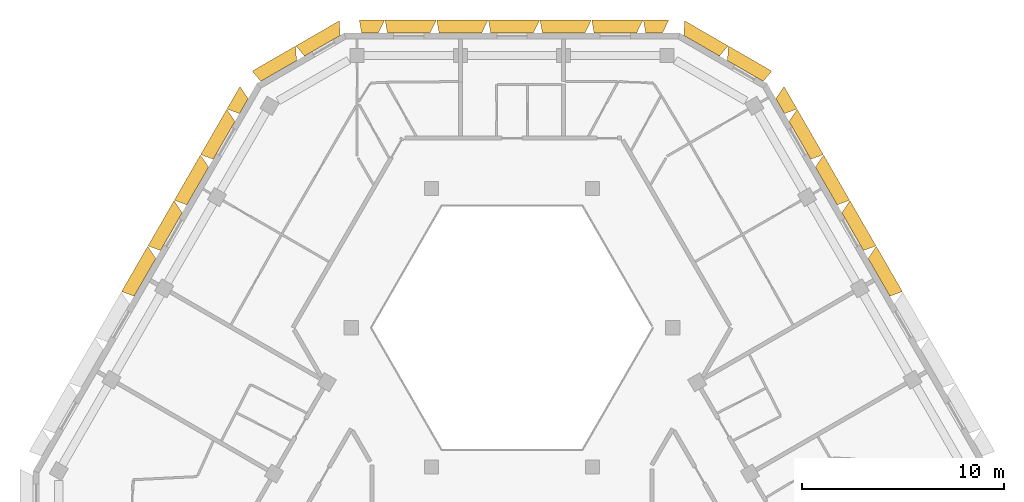
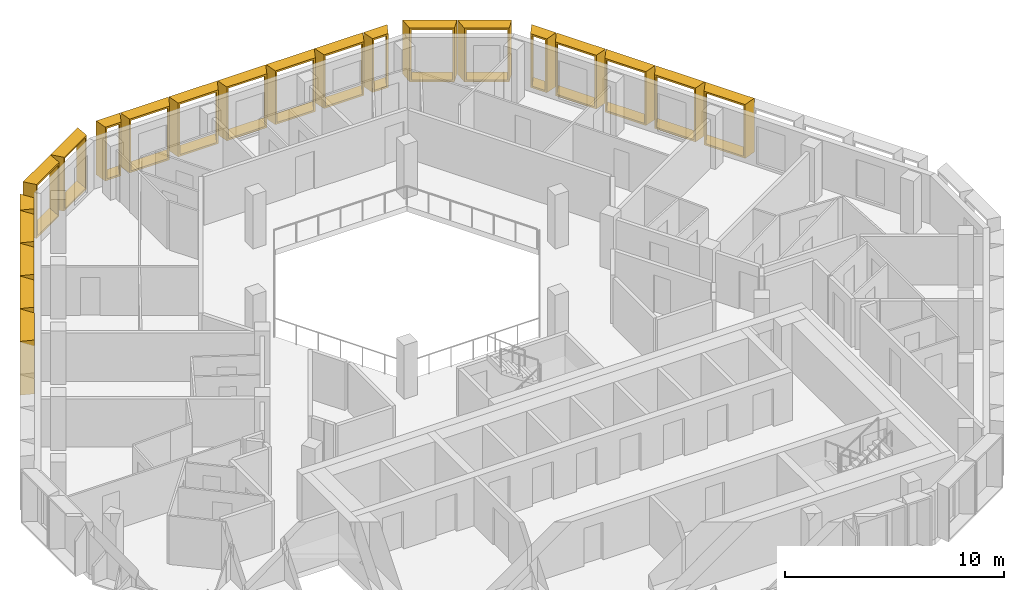
# One storey, part 15 of 15: 21 shading devices.
"""IFC4 building model written with IfcOpenShell, lengths in metres."""

from ifc_helpers import new_model, entity, si_unit, direction, frame, origin, place, context, subcontext, project, spatial, source, transform, mapped, material, type_object, type_shapes, element, save


model = new_model("IFC4")

# Units and contexts
model_context = context("Model", 3, precision=1e-05, world=origin(), true_north=direction((0.0, 1.0)))
body_context = subcontext(model_context, "Body", "Model", "MODEL_VIEW")
ifc_project = project(units=[si_unit("LENGTHUNIT", "METRE"), si_unit("AREAUNIT", "SQUARE_METRE"), si_unit("VOLUMEUNIT", "CUBIC_METRE"), si_unit("PLANEANGLEUNIT", "RADIAN"), si_unit("MASSUNIT", "GRAM", prefix="KILO")], contexts=[model_context])

# Site, building, storey
site_placement = place(None, origin())
site = spatial("IfcSite", under=ifc_project, at=site_placement, CompositionType="ELEMENT")
building_placement = place(site_placement, origin())
building = spatial("IfcBuilding", under=site, at=building_placement, Name="Beryl Residences", CompositionType="ELEMENT")
storey_placement = place(building_placement, frame((0.0, 0.0, 211.800048828125)))
storey = spatial("IfcBuildingStorey", under=building, at=storey_placement, Name="L65", CompositionType="ELEMENT", Elevation=211.800048828125)

# Shading devices
ifc_material_1 = material(Name="Aluminium pale anodised", Category="aluminium")
shading_device_type_1 = type_object("IfcShadingDeviceType", Name="FR128-65B OUTER SKIN frame 650 mm deep, splay 26/10 deg, 1280 x 3000 mm cell", PredefinedType="USERDEFINED", material=ifc_material_1)
cartesian_point_1 = entity("IfcCartesianPoint", [-0.4140625, 0.0])
cartesian_point_2 = entity("IfcCartesianPoint", [-0.324951171875, 0.10009765625])
cartesian_point_3 = entity("IfcCartesianPoint", [-0.73095703125, 0.0])
cartesian_point_4 = entity("IfcCartesianPoint", [-0.64208984375, 0.10009765625])
shared_shape_1 = source(origin(), body_context, "Body", "SweptSolid", [
    entity("IfcExtrudedAreaSolidTapered", entity("IfcArbitraryProfileDefWithVoids", "AREA", None, entity("IfcPolyline", [cartesian_point_1, entity("IfcCartesianPoint", [0.4140625, 0.0]), entity("IfcCartesianPoint", [0.4140625, 3.0]), entity("IfcCartesianPoint", [-0.4140625, 3.0]), cartesian_point_1]), [entity("IfcPolyline", [cartesian_point_2, entity("IfcCartesianPoint", [0.332763671875, 0.10009765625]), entity("IfcCartesianPoint", [0.332763671875, 2.89990234375]), entity("IfcCartesianPoint", [-0.324951171875, 2.89990234375]), cartesian_point_2])]), entity("IfcAxis2Placement3D", entity("IfcCartesianPoint", [0.0, 0.0, 0.0]), entity("IfcDirection", [0.0, 1.0, 0.0]), entity("IfcDirection", [-1.0, 0.0, 0.0])), entity("IfcDirection", [0.0, 0.0, 1.0]), 0.64990234375, entity("IfcArbitraryProfileDefWithVoids", "AREA", None, entity("IfcPolyline", [cartesian_point_3, entity("IfcCartesianPoint", [0.528564453125, 0.0]), entity("IfcCartesianPoint", [0.528564453125, 3.0]), entity("IfcCartesianPoint", [-0.73095703125, 3.0]), cartesian_point_3]), [entity("IfcPolyline", [cartesian_point_4, entity("IfcCartesianPoint", [0.447265625, 0.10009765625]), entity("IfcCartesianPoint", [0.447265625, 2.89990234375]), entity("IfcCartesianPoint", [-0.64208984375, 2.89990234375]), cartesian_point_4])])),
])
type_shapes(shading_device_type_1, [shared_shape_1])
for number, where, z_axis, x_axis, name in (
    (1, (7.0390625, 22.60009765625, 0.0), (0.0, 0.0, 1.0), (1.0, 0.0, 0.0), "FR128-65B frame L65 N 1"),
    (2, (-7.0380859375, 22.60009765625, 0.0), (0.0, 0.0, 1.0), (1.0, 0.0, 0.0), "FR128-65B frame L65 N 7"),
):
    element("IfcShadingDevice", number, at=place(storey_placement, frame(where, z_axis=z_axis, x_axis=x_axis)), inside=storey, type_object=shading_device_type_1, Name=name, ObjectType="OUTER SKIN", PredefinedType="USERDEFINED", context=body_context, shape_type="MappedRepresentation", body=[
        mapped(shared_shape_1, transform((0.0, 0.0, 0.0))),
    ])
ifc_material_2 = material(Name="Aluminium pale anodised", Category="aluminium")
shading_device_type_2 = type_object("IfcShadingDeviceType", Name="FR131-65B OUTER SKIN frame 650 mm deep, splay 26/10 deg, 1310 x 3000 mm cell", PredefinedType="USERDEFINED", material=ifc_material_2)
cartesian_point_5 = entity("IfcCartesianPoint", [-0.428955078125, 0.0])
cartesian_point_6 = entity("IfcCartesianPoint", [-0.340087890625, 0.10009765625])
cartesian_point_7 = entity("IfcCartesianPoint", [-0.74609375, 0.0])
cartesian_point_8 = entity("IfcCartesianPoint", [-0.656982421875, 0.10009765625])
shared_shape_2 = source(origin(), body_context, "Body", "SweptSolid", [
    entity("IfcExtrudedAreaSolidTapered", entity("IfcArbitraryProfileDefWithVoids", "AREA", None, entity("IfcPolyline", [cartesian_point_5, entity("IfcCartesianPoint", [0.428955078125, 0.0]), entity("IfcCartesianPoint", [0.428955078125, 3.0]), entity("IfcCartesianPoint", [-0.428955078125, 3.0]), cartesian_point_5]), [entity("IfcPolyline", [cartesian_point_6, entity("IfcCartesianPoint", [0.34765625, 0.10009765625]), entity("IfcCartesianPoint", [0.34765625, 2.89990234375]), entity("IfcCartesianPoint", [-0.340087890625, 2.89990234375]), cartesian_point_6])]), entity("IfcAxis2Placement3D", entity("IfcCartesianPoint", [0.0, 0.0, 0.0]), entity("IfcDirection", [0.0, 1.0, 0.0]), entity("IfcDirection", [-1.0, 0.0, 0.0])), entity("IfcDirection", [0.0, 0.0, 1.0]), 0.64990234375, entity("IfcArbitraryProfileDefWithVoids", "AREA", None, entity("IfcPolyline", [cartesian_point_7, entity("IfcCartesianPoint", [0.543701171875, 0.0]), entity("IfcCartesianPoint", [0.543701171875, 3.0]), entity("IfcCartesianPoint", [-0.74609375, 3.0]), cartesian_point_7]), [entity("IfcPolyline", [cartesian_point_8, entity("IfcCartesianPoint", [0.46240234375, 0.10009765625]), entity("IfcCartesianPoint", [0.46240234375, 2.89990234375]), entity("IfcCartesianPoint", [-0.656982421875, 2.89990234375]), cartesian_point_8])])),
])
type_shapes(shading_device_type_2, [shared_shape_2])
shading_device_1_placement = place(storey_placement, frame((-13.2880859375, 18.98388671875, 0.0), z_axis=(0.0, 0.0, 1.0), x_axis=(0.5, 0.866025403784, 0.0)))
element("IfcShadingDevice", 3, at=shading_device_1_placement, inside=storey, type_object=shading_device_type_2, Name="FR131-65B frame L65 NW 1", ObjectType="OUTER SKIN", PredefinedType="USERDEFINED", context=body_context, shape_type="MappedRepresentation", body=[
    mapped(shared_shape_2, transform((0.0, 0.0, 0.0))),
])
ifc_material_3 = material(Name="Aluminium pale anodised", Category="aluminium")
shading_device_type_3 = type_object("IfcShadingDeviceType", Name="FR131-65C OUTER SKIN frame 650 mm deep, splay 10/26 deg, 1310 x 3000 mm cell", PredefinedType="USERDEFINED", material=ifc_material_3)
cartesian_point_9 = entity("IfcCartesianPoint", [-0.428955078125, 0.0])
cartesian_point_10 = entity("IfcCartesianPoint", [-0.34765625, 0.10009765625])
cartesian_point_11 = entity("IfcCartesianPoint", [-0.543701171875, 0.0])
cartesian_point_12 = entity("IfcCartesianPoint", [-0.46240234375, 0.10009765625])
shared_shape_3 = source(origin(), body_context, "Body", "SweptSolid", [
    entity("IfcExtrudedAreaSolidTapered", entity("IfcArbitraryProfileDefWithVoids", "AREA", None, entity("IfcPolyline", [cartesian_point_9, entity("IfcCartesianPoint", [0.428955078125, 0.0]), entity("IfcCartesianPoint", [0.428955078125, 3.0]), entity("IfcCartesianPoint", [-0.428955078125, 3.0]), cartesian_point_9]), [entity("IfcPolyline", [cartesian_point_10, entity("IfcCartesianPoint", [0.340087890625, 0.10009765625]), entity("IfcCartesianPoint", [0.340087890625, 2.89990234375]), entity("IfcCartesianPoint", [-0.34765625, 2.89990234375]), cartesian_point_10])]), entity("IfcAxis2Placement3D", entity("IfcCartesianPoint", [0.0, 0.0, 0.0]), entity("IfcDirection", [0.0, 1.0, 0.0]), entity("IfcDirection", [-1.0, 0.0, 0.0])), entity("IfcDirection", [0.0, 0.0, 1.0]), 0.64990234375, entity("IfcArbitraryProfileDefWithVoids", "AREA", None, entity("IfcPolyline", [cartesian_point_11, entity("IfcCartesianPoint", [0.74609375, 0.0]), entity("IfcCartesianPoint", [0.74609375, 3.0]), entity("IfcCartesianPoint", [-0.543701171875, 3.0]), cartesian_point_11]), [entity("IfcPolyline", [cartesian_point_12, entity("IfcCartesianPoint", [0.656982421875, 0.10009765625]), entity("IfcCartesianPoint", [0.656982421875, 2.89990234375]), entity("IfcCartesianPoint", [-0.46240234375, 2.89990234375]), cartesian_point_12])])),
])
type_shapes(shading_device_type_3, [shared_shape_3])
shading_device_2_placement = place(storey_placement, frame((13.2880859375, 18.98388671875, 0.0), z_axis=(0.0, 0.0, 1.0), x_axis=(0.5, -0.866025403784, 0.0)))
element("IfcShadingDevice", 4, at=shading_device_2_placement, inside=storey, type_object=shading_device_type_3, Name="FR131-65C frame L65 NE 9", ObjectType="OUTER SKIN", PredefinedType="USERDEFINED", context=body_context, shape_type="MappedRepresentation", body=[
    mapped(shared_shape_3, transform((0.0, 0.0, 0.0))),
])
ifc_material_4 = material(Name="Aluminium pale anodised", Category="aluminium")
shading_device_type_4 = type_object("IfcShadingDeviceType", Name="FR250-65B OUTER SKIN frame 650 mm deep, splay 26/10 deg, 2500 x 3000 mm cell", PredefinedType="USERDEFINED", material=ifc_material_4)
cartesian_point_13 = entity("IfcCartesianPoint", [-1.02392578125, 0.0])
cartesian_point_14 = entity("IfcCartesianPoint", [-0.93505859375, 0.10009765625])
cartesian_point_15 = entity("IfcCartesianPoint", [-1.341064453125, 0.0])
cartesian_point_16 = entity("IfcCartesianPoint", [-1.251953125, 0.10009765625])
shared_shape_4 = source(origin(), body_context, "Body", "SweptSolid", [
    entity("IfcExtrudedAreaSolidTapered", entity("IfcArbitraryProfileDefWithVoids", "AREA", None, entity("IfcPolyline", [cartesian_point_13, entity("IfcCartesianPoint", [1.02392578125, 0.0]), entity("IfcCartesianPoint", [1.02392578125, 3.0]), entity("IfcCartesianPoint", [-1.02392578125, 3.0]), cartesian_point_13]), [entity("IfcPolyline", [cartesian_point_14, entity("IfcCartesianPoint", [0.94287109375, 0.10009765625]), entity("IfcCartesianPoint", [0.94287109375, 2.89990234375]), entity("IfcCartesianPoint", [-0.93505859375, 2.89990234375]), cartesian_point_14])]), entity("IfcAxis2Placement3D", entity("IfcCartesianPoint", [0.0, 0.0, 0.0]), entity("IfcDirection", [0.0, 1.0, 0.0]), entity("IfcDirection", [-1.0, 0.0, 0.0])), entity("IfcDirection", [0.0, 0.0, 1.0]), 0.64990234375, entity("IfcArbitraryProfileDefWithVoids", "AREA", None, entity("IfcPolyline", [cartesian_point_15, entity("IfcCartesianPoint", [1.138671875, 0.0]), entity("IfcCartesianPoint", [1.138671875, 3.0]), entity("IfcCartesianPoint", [-1.341064453125, 3.0]), cartesian_point_15]), [entity("IfcPolyline", [cartesian_point_16, entity("IfcCartesianPoint", [1.057373046875, 0.10009765625]), entity("IfcCartesianPoint", [1.057373046875, 2.89990234375]), entity("IfcCartesianPoint", [-1.251953125, 2.89990234375]), cartesian_point_16])])),
])
type_shapes(shading_device_type_4, [shared_shape_4])
for number, where, z_axis, x_axis, name in (
    (5, (-9.39599609375, 21.97509765625, 0.0), (0.0, 0.0, 1.0), (0.866025403784, 0.5, 0.0), "FR250-65B frame L65 N-NW 1"),
    (6, (-11.56103515625, 20.72509765625, 0.0), (0.0, 0.0, 1.0), (0.866025403784, 0.5, 0.0), "FR250-65B frame L65 N-NW 2"),
):
    element("IfcShadingDevice", number, at=place(storey_placement, frame(where, z_axis=z_axis, x_axis=x_axis)), inside=storey, type_object=shading_device_type_4, Name=name, ObjectType="OUTER SKIN", PredefinedType="USERDEFINED", context=body_context, shape_type="MappedRepresentation", body=[
        mapped(shared_shape_4, transform((0.0, 0.0, 0.0))),
    ])
ifc_material_5 = material(Name="Aluminium pale anodised", Category="aluminium")
shading_device_type_5 = type_object("IfcShadingDeviceType", Name="FR250-65C OUTER SKIN frame 650 mm deep, splay 10/26 deg, 2500 x 3000 mm cell", PredefinedType="USERDEFINED", material=ifc_material_5)
cartesian_point_17 = entity("IfcCartesianPoint", [-1.02392578125, 0.0])
cartesian_point_18 = entity("IfcCartesianPoint", [-0.94287109375, 0.10009765625])
cartesian_point_19 = entity("IfcCartesianPoint", [-1.138671875, 0.0])
cartesian_point_20 = entity("IfcCartesianPoint", [-1.057373046875, 0.10009765625])
shared_shape_5 = source(origin(), body_context, "Body", "SweptSolid", [
    entity("IfcExtrudedAreaSolidTapered", entity("IfcArbitraryProfileDefWithVoids", "AREA", None, entity("IfcPolyline", [cartesian_point_17, entity("IfcCartesianPoint", [1.02392578125, 0.0]), entity("IfcCartesianPoint", [1.02392578125, 3.0]), entity("IfcCartesianPoint", [-1.02392578125, 3.0]), cartesian_point_17]), [entity("IfcPolyline", [cartesian_point_18, entity("IfcCartesianPoint", [0.93505859375, 0.10009765625]), entity("IfcCartesianPoint", [0.93505859375, 2.89990234375]), entity("IfcCartesianPoint", [-0.94287109375, 2.89990234375]), cartesian_point_18])]), entity("IfcAxis2Placement3D", entity("IfcCartesianPoint", [0.0, 0.0, 0.0]), entity("IfcDirection", [0.0, 1.0, 0.0]), entity("IfcDirection", [-1.0, 0.0, 0.0])), entity("IfcDirection", [0.0, 0.0, 1.0]), 0.64990234375, entity("IfcArbitraryProfileDefWithVoids", "AREA", None, entity("IfcPolyline", [cartesian_point_19, entity("IfcCartesianPoint", [1.341064453125, 0.0]), entity("IfcCartesianPoint", [1.341064453125, 3.0]), entity("IfcCartesianPoint", [-1.138671875, 3.0]), cartesian_point_19]), [entity("IfcPolyline", [cartesian_point_20, entity("IfcCartesianPoint", [1.251953125, 0.10009765625]), entity("IfcCartesianPoint", [1.251953125, 2.89990234375]), entity("IfcCartesianPoint", [-1.057373046875, 2.89990234375]), cartesian_point_20])])),
])
type_shapes(shading_device_type_5, [shared_shape_5])
for number, where, z_axis, x_axis, name in (
    (7, (11.56103515625, 20.72509765625, 0.0), (0.0, 0.0, 1.0), (0.866025403784, -0.5, 0.0), "FR250-65C frame L65 NE-N 1"),
    (8, (9.39599609375, 21.97509765625, 0.0), (0.0, 0.0, 1.0), (0.866025403784, -0.5, 0.0), "FR250-65C frame L65 NE-N 2"),
):
    element("IfcShadingDevice", number, at=place(storey_placement, frame(where, z_axis=z_axis, x_axis=x_axis)), inside=storey, type_object=shading_device_type_5, Name=name, ObjectType="OUTER SKIN", PredefinedType="USERDEFINED", context=body_context, shape_type="MappedRepresentation", body=[
        mapped(shared_shape_5, transform((0.0, 0.0, 0.0))),
    ])
ifc_material_6 = material(Name="Aluminium pale anodised", Category="aluminium")
shading_device_type_6 = type_object("IfcShadingDeviceType", Name="FR256-65B OUTER SKIN frame 650 mm deep, splay 26/10 deg, 2560 x 3000 mm cell", PredefinedType="USERDEFINED", material=ifc_material_6)
cartesian_point_21 = entity("IfcCartesianPoint", [-1.053955078125, 0.0])
cartesian_point_22 = entity("IfcCartesianPoint", [-0.965087890625, 0.10009765625])
cartesian_point_23 = entity("IfcCartesianPoint", [-1.37109375, 0.0])
cartesian_point_24 = entity("IfcCartesianPoint", [-1.281982421875, 0.10009765625])
shared_shape_6 = source(origin(), body_context, "Body", "SweptSolid", [
    entity("IfcExtrudedAreaSolidTapered", entity("IfcArbitraryProfileDefWithVoids", "AREA", None, entity("IfcPolyline", [cartesian_point_21, entity("IfcCartesianPoint", [1.053955078125, 0.0]), entity("IfcCartesianPoint", [1.053955078125, 3.0]), entity("IfcCartesianPoint", [-1.053955078125, 3.0]), cartesian_point_21]), [entity("IfcPolyline", [cartesian_point_22, entity("IfcCartesianPoint", [0.97265625, 0.10009765625]), entity("IfcCartesianPoint", [0.97265625, 2.89990234375]), entity("IfcCartesianPoint", [-0.965087890625, 2.89990234375]), cartesian_point_22])]), entity("IfcAxis2Placement3D", entity("IfcCartesianPoint", [0.0, 0.0, 0.0]), entity("IfcDirection", [0.0, 1.0, 0.0]), entity("IfcDirection", [-1.0, 0.0, 0.0])), entity("IfcDirection", [0.0, 0.0, 1.0]), 0.64990234375, entity("IfcArbitraryProfileDefWithVoids", "AREA", None, entity("IfcPolyline", [cartesian_point_23, entity("IfcCartesianPoint", [1.168701171875, 0.0]), entity("IfcCartesianPoint", [1.168701171875, 3.0]), entity("IfcCartesianPoint", [-1.37109375, 3.0]), cartesian_point_23]), [entity("IfcPolyline", [cartesian_point_24, entity("IfcCartesianPoint", [1.08740234375, 0.10009765625]), entity("IfcCartesianPoint", [1.08740234375, 2.89990234375]), entity("IfcCartesianPoint", [-1.281982421875, 2.89990234375]), cartesian_point_24])])),
])
type_shapes(shading_device_type_6, [shared_shape_6])
for number, where, z_axis, x_axis, name in (
    (9, (5.1201171875, 22.60009765625, 0.0), (0.0, 0.0, 1.0), (1.0, 0.0, 0.0), "FR256-65B frame L65 N 2"),
    (10, (2.56005859375, 22.60009765625, 0.0), (0.0, 0.0, 1.0), (1.0, 0.0, 0.0), "FR256-65B frame L65 N 3"),
    (11, (0.0, 22.60009765625, 0.0), (0.0, 0.0, 1.0), (1.0, 0.0, 0.0), "FR256-65B frame L65 N 4"),
    (12, (-2.55908203125, 22.60009765625, 0.0), (0.0, 0.0, 1.0), (1.0, 0.0, 0.0), "FR256-65B frame L65 N 5"),
    (13, (-5.118896484375, 22.60009765625, 0.0), (0.0, 0.0, 1.0), (1.0, 0.0, 0.0), "FR256-65B frame L65 N 6"),
):
    element("IfcShadingDevice", number, at=place(storey_placement, frame(where, z_axis=z_axis, x_axis=x_axis)), inside=storey, type_object=shading_device_type_6, Name=name, ObjectType="OUTER SKIN", PredefinedType="USERDEFINED", context=body_context, shape_type="MappedRepresentation", body=[
        mapped(shared_shape_6, transform((0.0, 0.0, 0.0))),
    ])
ifc_material_7 = material(Name="Aluminium pale anodised", Category="aluminium")
shading_device_type_7 = type_object("IfcShadingDeviceType", Name="FR261-65B OUTER SKIN frame 650 mm deep, splay 26/10 deg, 2610 x 3000 mm cell", PredefinedType="USERDEFINED", material=ifc_material_7)
cartesian_point_25 = entity("IfcCartesianPoint", [-1.0791015625, 0.0])
cartesian_point_26 = entity("IfcCartesianPoint", [-0.989990234375, 0.10009765625])
cartesian_point_27 = entity("IfcCartesianPoint", [-1.39599609375, 0.0])
cartesian_point_28 = entity("IfcCartesianPoint", [-1.30712890625, 0.10009765625])
shared_shape_7 = source(origin(), body_context, "Body", "SweptSolid", [
    entity("IfcExtrudedAreaSolidTapered", entity("IfcArbitraryProfileDefWithVoids", "AREA", None, entity("IfcPolyline", [cartesian_point_25, entity("IfcCartesianPoint", [1.0791015625, 0.0]), entity("IfcCartesianPoint", [1.0791015625, 3.0]), entity("IfcCartesianPoint", [-1.0791015625, 3.0]), cartesian_point_25]), [entity("IfcPolyline", [cartesian_point_26, entity("IfcCartesianPoint", [0.997802734375, 0.10009765625]), entity("IfcCartesianPoint", [0.997802734375, 2.89990234375]), entity("IfcCartesianPoint", [-0.989990234375, 2.89990234375]), cartesian_point_26])]), entity("IfcAxis2Placement3D", entity("IfcCartesianPoint", [0.0, 0.0, 0.0]), entity("IfcDirection", [0.0, 1.0, 0.0]), entity("IfcDirection", [-1.0, 0.0, 0.0])), entity("IfcDirection", [0.0, 0.0, 1.0]), 0.64990234375, entity("IfcArbitraryProfileDefWithVoids", "AREA", None, entity("IfcPolyline", [cartesian_point_27, entity("IfcCartesianPoint", [1.193603515625, 0.0]), entity("IfcCartesianPoint", [1.193603515625, 3.0]), entity("IfcCartesianPoint", [-1.39599609375, 3.0]), cartesian_point_27]), [entity("IfcPolyline", [cartesian_point_28, entity("IfcCartesianPoint", [1.1123046875, 0.10009765625]), entity("IfcCartesianPoint", [1.1123046875, 2.89990234375]), entity("IfcCartesianPoint", [-1.30712890625, 2.89990234375]), cartesian_point_28])])),
])
type_shapes(shading_device_type_7, [shared_shape_7])
for number, where, z_axis, x_axis, name in (
    (14, (-14.26708984375, 17.2880859375, 0.0), (0.0, 0.0, 1.0), (0.5, 0.866025403784, 0.0), "FR261-65B frame L65 NW 2"),
    (15, (-15.573974609375, 15.02490234375, 0.0), (0.0, 0.0, 1.0), (0.5, 0.866025403784, 0.0), "FR261-65B frame L65 NW 3"),
    (16, (-16.8798828125, 12.762939453125, 0.0), (0.0, 0.0, 1.0), (0.5, 0.866025403784, 0.0), "FR261-65B frame L65 NW 4"),
    (17, (-18.18603515625, 10.5, 0.0), (0.0, 0.0, 1.0), (0.5, 0.866025403784, 0.0), "FR261-65B frame L65 NW 5"),
):
    element("IfcShadingDevice", number, at=place(storey_placement, frame(where, z_axis=z_axis, x_axis=x_axis)), inside=storey, type_object=shading_device_type_7, Name=name, ObjectType="OUTER SKIN", PredefinedType="USERDEFINED", context=body_context, shape_type="MappedRepresentation", body=[
        mapped(shared_shape_7, transform((0.0, 0.0, 0.0))),
    ])
ifc_material_8 = material(Name="Aluminium pale anodised", Category="aluminium")
shading_device_type_8 = type_object("IfcShadingDeviceType", Name="FR261-65C OUTER SKIN frame 650 mm deep, splay 10/26 deg, 2610 x 3000 mm cell", PredefinedType="USERDEFINED", material=ifc_material_8)
cartesian_point_29 = entity("IfcCartesianPoint", [-1.0791015625, 0.0])
cartesian_point_30 = entity("IfcCartesianPoint", [-0.997802734375, 0.10009765625])
cartesian_point_31 = entity("IfcCartesianPoint", [-1.193603515625, 0.0])
cartesian_point_32 = entity("IfcCartesianPoint", [-1.1123046875, 0.10009765625])
shared_shape_8 = source(origin(), body_context, "Body", "SweptSolid", [
    entity("IfcExtrudedAreaSolidTapered", entity("IfcArbitraryProfileDefWithVoids", "AREA", None, entity("IfcPolyline", [cartesian_point_29, entity("IfcCartesianPoint", [1.0791015625, 0.0]), entity("IfcCartesianPoint", [1.0791015625, 3.0]), entity("IfcCartesianPoint", [-1.0791015625, 3.0]), cartesian_point_29]), [entity("IfcPolyline", [cartesian_point_30, entity("IfcCartesianPoint", [0.989990234375, 0.10009765625]), entity("IfcCartesianPoint", [0.989990234375, 2.89990234375]), entity("IfcCartesianPoint", [-0.997802734375, 2.89990234375]), cartesian_point_30])]), entity("IfcAxis2Placement3D", entity("IfcCartesianPoint", [0.0, 0.0, 0.0]), entity("IfcDirection", [0.0, 1.0, 0.0]), entity("IfcDirection", [-1.0, 0.0, 0.0])), entity("IfcDirection", [0.0, 0.0, 1.0]), 0.64990234375, entity("IfcArbitraryProfileDefWithVoids", "AREA", None, entity("IfcPolyline", [cartesian_point_31, entity("IfcCartesianPoint", [1.39599609375, 0.0]), entity("IfcCartesianPoint", [1.39599609375, 3.0]), entity("IfcCartesianPoint", [-1.193603515625, 3.0]), cartesian_point_31]), [entity("IfcPolyline", [cartesian_point_32, entity("IfcCartesianPoint", [1.30712890625, 0.10009765625]), entity("IfcCartesianPoint", [1.30712890625, 2.89990234375]), entity("IfcCartesianPoint", [-1.1123046875, 2.89990234375]), cartesian_point_32])])),
])
type_shapes(shading_device_type_8, [shared_shape_8])
for number, where, z_axis, x_axis, name in (
    (18, (18.18603515625, 10.5, 0.0), (0.0, 0.0, 1.0), (0.5, -0.866025403784, 0.0), "FR261-65C frame L65 NE 5"),
    (19, (16.8798828125, 12.762939453125, 0.0), (0.0, 0.0, 1.0), (0.5, -0.866025403784, 0.0), "FR261-65C frame L65 NE 6"),
    (20, (15.573974609375, 15.02490234375, 0.0), (0.0, 0.0, 1.0), (0.5, -0.866025403784, 0.0), "FR261-65C frame L65 NE 7"),
    (21, (14.26708984375, 17.2880859375, 0.0), (0.0, 0.0, 1.0), (0.5, -0.866025403784, 0.0), "FR261-65C frame L65 NE 8"),
):
    element("IfcShadingDevice", number, at=place(storey_placement, frame(where, z_axis=z_axis, x_axis=x_axis)), inside=storey, type_object=shading_device_type_8, Name=name, ObjectType="OUTER SKIN", PredefinedType="USERDEFINED", context=body_context, shape_type="MappedRepresentation", body=[
        mapped(shared_shape_8, transform((0.0, 0.0, 0.0))),
    ])

save(model, "model.ifc")
